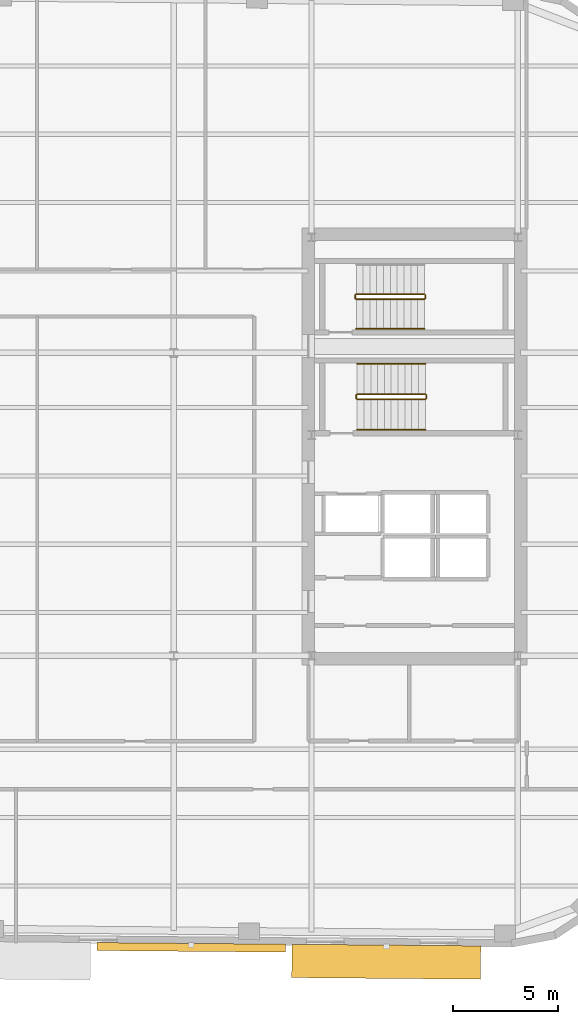
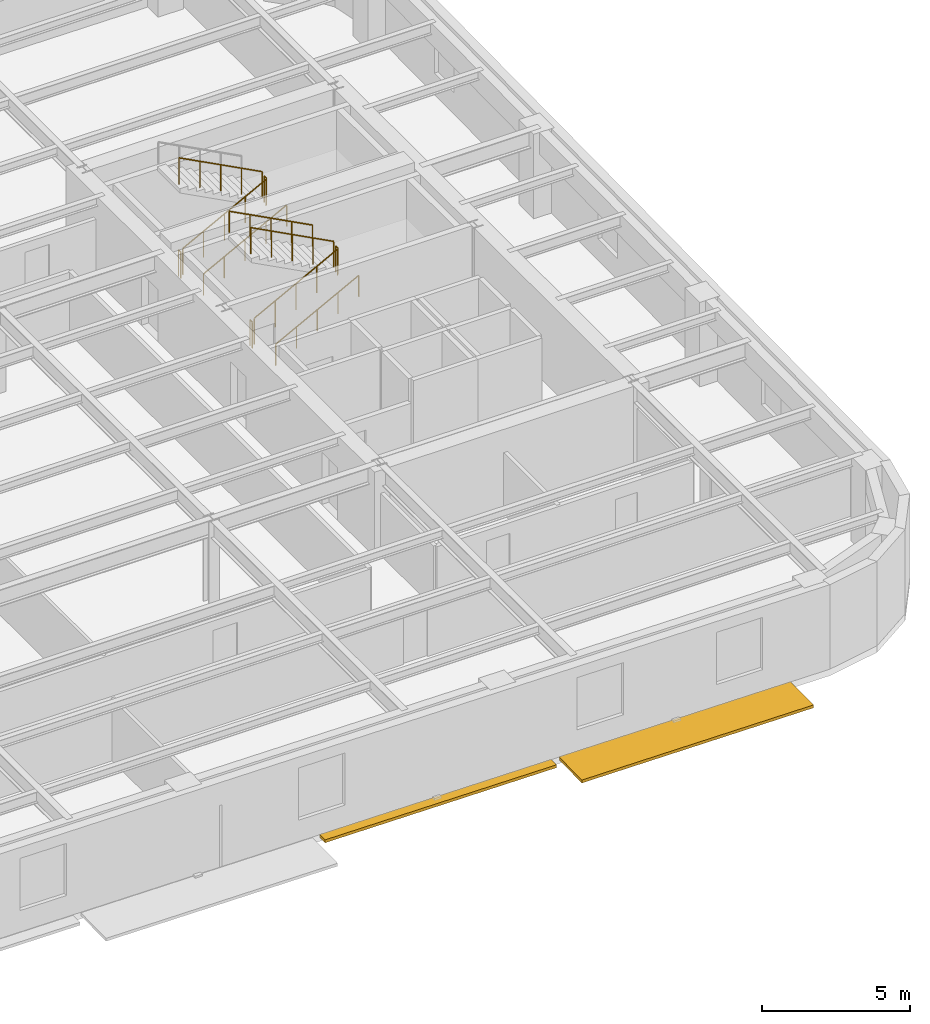
# One storey, part 9 of 10: 11 railings, 2 shading devices.
"""IFC4 building model written with IfcOpenShell, lengths in metres."""

from ifc_helpers import new_model, si_unit, direction, frame, origin, origin_2d, place, context, subcontext, project, spatial, rectangle, circle, extrude, material, type_object, element, save


model = new_model("IFC4")

# Units and contexts
model_context = context("Model", 3, precision=1e-05, world=origin(), true_north=direction((0.0, 1.0)))
body_context = subcontext(model_context, "Body", "Model", "MODEL_VIEW")
ifc_project = project(units=[si_unit("LENGTHUNIT", "METRE"), si_unit("AREAUNIT", "SQUARE_METRE"), si_unit("VOLUMEUNIT", "CUBIC_METRE"), si_unit("PLANEANGLEUNIT", "RADIAN"), si_unit("MASSUNIT", "GRAM", prefix="KILO")], contexts=[model_context])

# Site, building, storey
site_placement = place(None, origin())
site = spatial("IfcSite", under=ifc_project, at=site_placement, CompositionType="ELEMENT")
building_placement = place(site_placement, origin())
building = spatial("IfcBuilding", under=site, at=building_placement, Name="Kolvaren Arena Tower", CompositionType="ELEMENT")
storey_placement = place(building_placement, frame((0.0, 0.0, 192.199951171875)))
storey = spatial("IfcBuildingStorey", under=building, at=storey_placement, Name="L46", CompositionType="ELEMENT", Elevation=192.199951171875)

# Railings
ifc_material_1 = material(Name="Painted galvanized steel", Category="steel")
railing_type_1 = type_object("IfcRailingType", Name="GUARD-ST-110", PredefinedType="GUARDRAIL", material=ifc_material_1)
railing_1_placement = place(storey_placement, frame((52.719970703125, 31.639892578125, 0.17041015625)))
element("IfcRailing", 1, at=railing_1_placement, inside=storey, type_object=railing_type_1, Name="L46 ST-E1 stair guard 1", PredefinedType="GUARDRAIL", context=body_context, shape_type="SweptSolid", body=[
    extrude(circle(Radius=0.02392578125, at=origin_2d()), frame((0.0, 0.0, 1.076171875), z_axis=(0.884993431791, 0.0, 0.465603506952), x_axis=(0.0, 1.0, 0.0)), (0.0, 0.0, 1.0), 3.6611328125),
    extrude(circle(Radius=0.02099609375, at=origin_2d()), origin(), (0.0, 0.0, 1.0), 1.052001953125),
    extrude(circle(Radius=0.02099609375, at=origin_2d()), frame((0.81005859375, 0.0, 0.42626953125)), (0.0, 0.0, 1.0), 1.052001953125),
    extrude(circle(Radius=0.02099609375, at=origin_2d()), frame((1.6201171875, 0.0, 0.852294921875)), (0.0, 0.0, 1.0), 1.052001953125),
    extrude(circle(Radius=0.02099609375, at=origin_2d()), frame((2.429931640625, 0.0, 1.2783203125)), (0.0, 0.0, 1.0), 1.052001953125),
    extrude(circle(Radius=0.02099609375, at=origin_2d()), frame((3.239990234375, 0.0, 1.70458984375)), (0.0, 0.0, 1.0), 1.052001953125),
])
railing_2_placement = place(storey_placement, frame((56.010009765625, 31.68994140625, 1.875)))
element("IfcRailing", 2, at=railing_2_placement, inside=storey, type_object=railing_type_1, Name="L46 ST-E1 stair guard 2", PredefinedType="GUARDRAIL", context=body_context, shape_type="SweptSolid", body=[
    extrude(circle(Radius=0.02392578125, at=origin_2d()), frame((0.0, 0.0, 1.076171875), z_axis=(0.0, 1.0, 0.0), x_axis=(-1.0, 0.0, 0.0)), (0.0, 0.0, 1.0), 0.150146484375),
    extrude(circle(Radius=0.02099609375, at=origin_2d()), origin(), (0.0, 0.0, 1.0), 1.052001953125),
    extrude(circle(Radius=0.02099609375, at=origin_2d()), frame((0.0, 0.150146484375, 0.0)), (0.0, 0.0, 1.0), 1.052001953125),
])
railing_3_placement = place(storey_placement, frame((55.9599609375, 31.889892578125, 2.04541015625)))
element("IfcRailing", 3, at=railing_3_placement, inside=storey, type_object=railing_type_1, Name="L46 ST-E1 stair guard 3", PredefinedType="GUARDRAIL", context=body_context, shape_type="SweptSolid", body=[
    extrude(circle(Radius=0.02392578125, at=origin_2d()), frame((0.0, 0.0, 1.076171875), z_axis=(-0.884993431791, 0.0, 0.465603506952), x_axis=(0.0, -1.0, 0.0)), (0.0, 0.0, 1.0), 3.6611328125),
    extrude(circle(Radius=0.02099609375, at=origin_2d()), origin(), (0.0, 0.0, 1.0), 1.052001953125),
    extrude(circle(Radius=0.02099609375, at=origin_2d()), frame((-0.81005859375, 0.0, 0.42626953125)), (0.0, 0.0, 1.0), 1.052001953125),
    extrude(circle(Radius=0.02099609375, at=origin_2d()), frame((-1.6201171875, 0.0, 0.852294921875)), (0.0, 0.0, 1.0), 1.052001953125),
    extrude(circle(Radius=0.02099609375, at=origin_2d()), frame((-2.429931640625, 0.0, 1.2783203125)), (0.0, 0.0, 1.0), 1.052001953125),
    extrude(circle(Radius=0.02099609375, at=origin_2d()), frame((-3.239990234375, 0.0, 1.70458984375)), (0.0, 0.0, 1.0), 1.052001953125),
])
railing_4_placement = place(storey_placement, frame((52.669921875, 31.68994140625, 0.0)))
element("IfcRailing", 4, at=railing_4_placement, inside=storey, type_object=railing_type_1, Name="L46 ST-E1 stair guard 4", PredefinedType="GUARDRAIL", context=body_context, shape_type="SweptSolid", body=[
    extrude(circle(Radius=0.02392578125, at=origin_2d()), frame((0.0, 0.0, 1.076171875), z_axis=(0.0, 1.0, 0.0), x_axis=(-1.0, 0.0, 0.0)), (0.0, 0.0, 1.0), 0.150146484375),
    extrude(circle(Radius=0.02099609375, at=origin_2d()), origin(), (0.0, 0.0, 1.0), 1.052001953125),
    extrude(circle(Radius=0.02099609375, at=origin_2d()), frame((0.0, 0.150146484375, 0.0)), (0.0, 0.0, 1.0), 1.052001953125),
])
railing_5_placement = place(storey_placement, frame((52.679931640625, 36.39990234375, 0.17041015625)))
element("IfcRailing", 5, at=railing_5_placement, inside=storey, type_object=railing_type_1, Name="L46 ST-E2 stair guard 1", PredefinedType="GUARDRAIL", context=body_context, shape_type="SweptSolid", body=[
    extrude(circle(Radius=0.02392578125, at=origin_2d()), frame((0.0, 0.0, 1.076171875), z_axis=(0.884993431791, 0.0, 0.465603506952), x_axis=(0.0, 1.0, 0.0)), (0.0, 0.0, 1.0), 3.6611328125),
    extrude(circle(Radius=0.02099609375, at=origin_2d()), origin(), (0.0, 0.0, 1.0), 1.052001953125),
    extrude(circle(Radius=0.02099609375, at=origin_2d()), frame((0.81005859375, 0.0, 0.42626953125)), (0.0, 0.0, 1.0), 1.052001953125),
    extrude(circle(Radius=0.02099609375, at=origin_2d()), frame((1.6201171875, 0.0, 0.852294921875)), (0.0, 0.0, 1.0), 1.052001953125),
    extrude(circle(Radius=0.02099609375, at=origin_2d()), frame((2.429931640625, 0.0, 1.2783203125)), (0.0, 0.0, 1.0), 1.052001953125),
    extrude(circle(Radius=0.02099609375, at=origin_2d()), frame((3.239990234375, 0.0, 1.70458984375)), (0.0, 0.0, 1.0), 1.052001953125),
])
railing_6_placement = place(storey_placement, frame((55.969970703125, 36.449951171875, 1.875)))
element("IfcRailing", 6, at=railing_6_placement, inside=storey, type_object=railing_type_1, Name="L46 ST-E2 stair guard 2", PredefinedType="GUARDRAIL", context=body_context, shape_type="SweptSolid", body=[
    extrude(circle(Radius=0.02392578125, at=origin_2d()), frame((0.0, 0.0, 1.076171875), z_axis=(0.0, 1.0, 0.0), x_axis=(-1.0, 0.0, 0.0)), (0.0, 0.0, 1.0), 0.150146484375),
    extrude(circle(Radius=0.02099609375, at=origin_2d()), origin(), (0.0, 0.0, 1.0), 1.052001953125),
    extrude(circle(Radius=0.02099609375, at=origin_2d()), frame((0.0, 0.150146484375, 0.0)), (0.0, 0.0, 1.0), 1.052001953125),
])
railing_7_placement = place(storey_placement, frame((55.919921875, 36.64990234375, 2.04541015625)))
element("IfcRailing", 7, at=railing_7_placement, inside=storey, type_object=railing_type_1, Name="L46 ST-E2 stair guard 3", PredefinedType="GUARDRAIL", context=body_context, shape_type="SweptSolid", body=[
    extrude(circle(Radius=0.02392578125, at=origin_2d()), frame((0.0, 0.0, 1.076171875), z_axis=(-0.884993431791, 0.0, 0.465603506952), x_axis=(0.0, -1.0, 0.0)), (0.0, 0.0, 1.0), 3.6611328125),
    extrude(circle(Radius=0.02099609375, at=origin_2d()), origin(), (0.0, 0.0, 1.0), 1.052001953125),
    extrude(circle(Radius=0.02099609375, at=origin_2d()), frame((-0.81005859375, 0.0, 0.42626953125)), (0.0, 0.0, 1.0), 1.052001953125),
    extrude(circle(Radius=0.02099609375, at=origin_2d()), frame((-1.6201171875, 0.0, 0.852294921875)), (0.0, 0.0, 1.0), 1.052001953125),
    extrude(circle(Radius=0.02099609375, at=origin_2d()), frame((-2.429931640625, 0.0, 1.2783203125)), (0.0, 0.0, 1.0), 1.052001953125),
    extrude(circle(Radius=0.02099609375, at=origin_2d()), frame((-3.239990234375, 0.0, 1.70458984375)), (0.0, 0.0, 1.0), 1.052001953125),
])
railing_8_placement = place(storey_placement, frame((52.6298828125, 36.449951171875, 0.0)))
element("IfcRailing", 8, at=railing_8_placement, inside=storey, type_object=railing_type_1, Name="L46 ST-E2 stair guard 4", PredefinedType="GUARDRAIL", context=body_context, shape_type="SweptSolid", body=[
    extrude(circle(Radius=0.02392578125, at=origin_2d()), frame((0.0, 0.0, 1.076171875), z_axis=(0.0, 1.0, 0.0), x_axis=(-1.0, 0.0, 0.0)), (0.0, 0.0, 1.0), 0.150146484375),
    extrude(circle(Radius=0.02099609375, at=origin_2d()), origin(), (0.0, 0.0, 1.0), 1.052001953125),
    extrude(circle(Radius=0.02099609375, at=origin_2d()), frame((0.0, 0.150146484375, 0.0)), (0.0, 0.0, 1.0), 1.052001953125),
])
ifc_material_2 = material(Name="Brushed stainless steel handrail", Category="steel")
railing_type_2 = type_object("IfcRailingType", Name="HRAIL-900", PredefinedType="HANDRAIL", material=ifc_material_2)
railing_9_placement = place(storey_placement, frame((52.719970703125, 30.199951171875, 0.17041015625)))
element("IfcRailing", 9, at=railing_9_placement, inside=storey, type_object=railing_type_2, Name="L46 ST-E1 stair handrail 1", PredefinedType="HANDRAIL", context=body_context, shape_type="SweptSolid", body=[
    extrude(circle(Radius=0.02392578125, at=origin_2d()), frame((0.0, 0.0, 0.8759765625), z_axis=(0.884993431791, 0.0, 0.465603506952), x_axis=(0.0, 1.0, 0.0)), (0.0, 0.0, 1.0), 3.6611328125),
    extrude(circle(Radius=0.02099609375, at=origin_2d()), origin(), (0.0, 0.0, 1.0), 0.851806640625),
    extrude(circle(Radius=0.02099609375, at=origin_2d()), frame((0.81005859375, 0.0, 0.42626953125)), (0.0, 0.0, 1.0), 0.851806640625),
    extrude(circle(Radius=0.02099609375, at=origin_2d()), frame((1.6201171875, 0.0, 0.852294921875)), (0.0, 0.0, 1.0), 0.851806640625),
    extrude(circle(Radius=0.02099609375, at=origin_2d()), frame((2.429931640625, 0.0, 1.2783203125)), (0.0, 0.0, 1.0), 0.851806640625),
    extrude(circle(Radius=0.02099609375, at=origin_2d()), frame((3.239990234375, 0.0, 1.70458984375)), (0.0, 0.0, 1.0), 0.851806640625),
])
railing_10_placement = place(storey_placement, frame((55.9599609375, 33.330078125, 2.04541015625)))
element("IfcRailing", 10, at=railing_10_placement, inside=storey, type_object=railing_type_2, Name="L46 ST-E1 stair handrail 2", PredefinedType="HANDRAIL", context=body_context, shape_type="SweptSolid", body=[
    extrude(circle(Radius=0.02392578125, at=origin_2d()), frame((0.0, 0.0, 0.8759765625), z_axis=(-0.884993431791, 0.0, 0.465603506952), x_axis=(0.0, -1.0, 0.0)), (0.0, 0.0, 1.0), 3.6611328125),
    extrude(circle(Radius=0.02099609375, at=origin_2d()), origin(), (0.0, 0.0, 1.0), 0.851806640625),
    extrude(circle(Radius=0.02099609375, at=origin_2d()), frame((-0.81005859375, 0.0, 0.42626953125)), (0.0, 0.0, 1.0), 0.851806640625),
    extrude(circle(Radius=0.02099609375, at=origin_2d()), frame((-1.6201171875, 0.0, 0.852294921875)), (0.0, 0.0, 1.0), 0.851806640625),
    extrude(circle(Radius=0.02099609375, at=origin_2d()), frame((-2.429931640625, 0.0, 1.2783203125)), (0.0, 0.0, 1.0), 0.851806640625),
    extrude(circle(Radius=0.02099609375, at=origin_2d()), frame((-3.239990234375, 0.0, 1.70458984375)), (0.0, 0.0, 1.0), 0.851806640625),
])
railing_11_placement = place(storey_placement, frame((52.679931640625, 35.0, 0.17041015625)))
element("IfcRailing", 11, at=railing_11_placement, inside=storey, type_object=railing_type_2, Name="L46 ST-E2 stair handrail 1", PredefinedType="HANDRAIL", context=body_context, shape_type="SweptSolid", body=[
    extrude(circle(Radius=0.02392578125, at=origin_2d()), frame((0.0, 0.0, 0.8759765625), z_axis=(0.884993431791, 0.0, 0.465603506952), x_axis=(0.0, 1.0, 0.0)), (0.0, 0.0, 1.0), 3.6611328125),
    extrude(circle(Radius=0.02099609375, at=origin_2d()), origin(), (0.0, 0.0, 1.0), 0.851806640625),
    extrude(circle(Radius=0.02099609375, at=origin_2d()), frame((0.81005859375, 0.0, 0.42626953125)), (0.0, 0.0, 1.0), 0.851806640625),
    extrude(circle(Radius=0.02099609375, at=origin_2d()), frame((1.6201171875, 0.0, 0.852294921875)), (0.0, 0.0, 1.0), 0.851806640625),
    extrude(circle(Radius=0.02099609375, at=origin_2d()), frame((2.429931640625, 0.0, 1.2783203125)), (0.0, 0.0, 1.0), 0.851806640625),
    extrude(circle(Radius=0.02099609375, at=origin_2d()), frame((3.239990234375, 0.0, 1.70458984375)), (0.0, 0.0, 1.0), 0.851806640625),
])

# Shading devices
ifc_material_3 = material(Name="Architectural precast GFRC and anodised aluminium sunshade", Category="concrete")
shading_device_type_1 = type_object("IfcShadingDeviceType", Name="SHAD-SINE-A", PredefinedType="USERDEFINED", material=ifc_material_3)
shading_device_1_placement = place(storey_placement, frame((44.82958984375, 5.578857421875, -0.139892578125), z_axis=(0.0, 0.0, 1.0), x_axis=(-0.999961923064, 0.008726535498, 0.0)))
element("IfcShadingDevice", 12, at=shading_device_1_placement, inside=storey, type_object=shading_device_type_1, Name="Sinusoidal Slab-Edge Sunshade Louvre (L46)", ObjectType="LOUVRE", PredefinedType="USERDEFINED", context=body_context, shape_type="SweptSolid", body=[
    extrude(rectangle(XDim=8.97998046875, YDim=0.379638671875, at=origin_2d()), origin(), (0.0, 0.0, 1.0), 0.1201171875),
])
shading_device_type_2 = type_object("IfcShadingDeviceType", Name="SHAD-SINE-B", PredefinedType="JALOUSIE", material=ifc_material_3)
shading_device_2_placement = place(storey_placement, frame((54.103759765625, 4.894775390625, -0.139892578125), z_axis=(0.0, 0.0, 1.0), x_axis=(-0.999961923064, 0.008726535498, 0.0)))
element("IfcShadingDevice", 13, at=shading_device_2_placement, inside=storey, type_object=shading_device_type_2, Name="Sinusoidal Slab-Edge Sunshade Louvre (L46)", PredefinedType="JALOUSIE", context=body_context, shape_type="SweptSolid", body=[
    extrude(rectangle(XDim=8.97998046875, YDim=1.585693359375, at=origin_2d()), origin(), (0.0, 0.0, 1.0), 0.1201171875),
])

save(model, "model.ifc")
